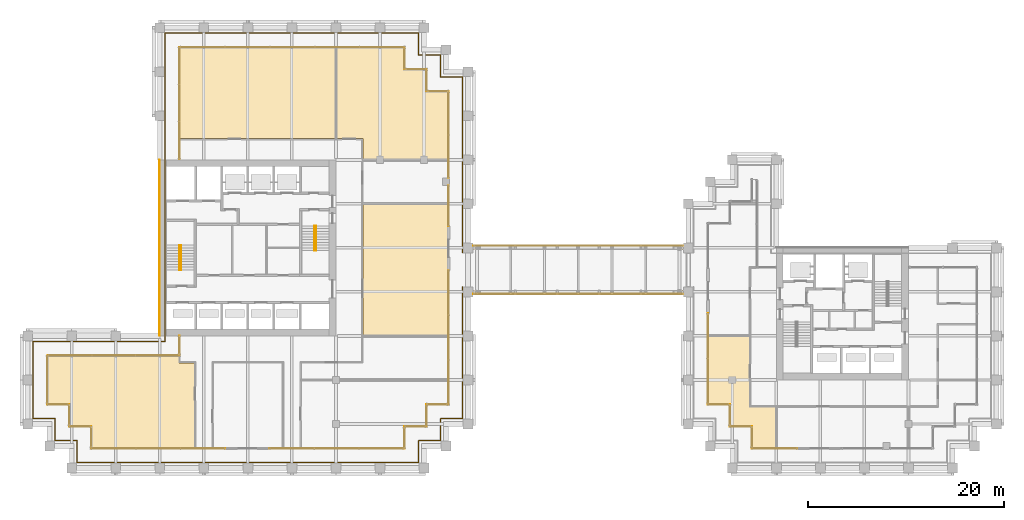
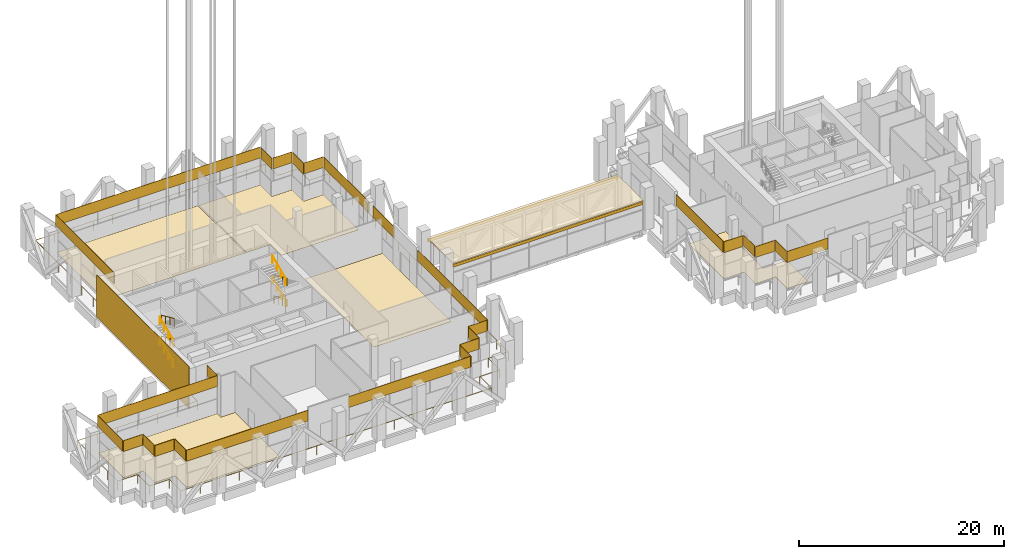
# One storey, part 46 of 48: 37 coverings, 9 railings.
"""IFC4 building model written with IfcOpenShell, lengths in metres."""

from ifc_helpers import new_model, si_unit, direction, frame, origin, origin_2d, place, context, subcontext, project, spatial, polyline, rectangle, circle, outline, extrude, source, transform, mapped, material, layer, layer_set, type_object, element, save


model = new_model("IFC4")

# Units and contexts
model_context = context("Model", 3, precision=1e-05, world=origin(), true_north=direction((0.0, 1.0)))
body_context = subcontext(model_context, "Body", "Model", "MODEL_VIEW")
ifc_project = project(units=[si_unit("LENGTHUNIT", "METRE"), si_unit("AREAUNIT", "SQUARE_METRE"), si_unit("VOLUMEUNIT", "CUBIC_METRE"), si_unit("PLANEANGLEUNIT", "RADIAN"), si_unit("MASSUNIT", "GRAM", prefix="KILO")], contexts=[model_context])

# Site, building, storey
site_placement = place(None, origin())
site = spatial("IfcSite", under=ifc_project, at=site_placement, CompositionType="ELEMENT")
building_placement = place(site_placement, origin())
building = spatial("IfcBuilding", under=site, at=building_placement, Name="Altepetl Exchange Towers", CompositionType="ELEMENT")
storey_placement = place(building_placement, frame((0.0, 0.0, 138.800048828125)))
storey = spatial("IfcBuildingStorey", under=building, at=storey_placement, Name="L34 Refuge and sky lobby", CompositionType="ELEMENT", Elevation=138.800048828125)

# Coverings
ifc_material_1 = material(Name="Aluminium composite cladding", Category="aluminium")
ifc_layer_1 = layer(ifc_material_1, 0.030029296875)
ifc_layer_set_1 = layer_set([ifc_layer_1], Name="Aluminium composite cladding")
covering_type_1 = type_object("IfcCoveringType", Name="Bridge fascia panel 30", PredefinedType="CLADDING", material=ifc_layer_set_1)
for number, where, name in (
    (1, (83.25, 44.784912109375, 3.0), "BR2 fascia"),
    (2, (83.25, 49.715087890625, 3.0), "BR2 fascia"),
):
    element("IfcCovering", number, at=place(storey_placement, frame(where)), inside=storey, type_object=covering_type_1, Name=name, PredefinedType="CLADDING", context=body_context, shape_type="SweptSolid", body=[
        extrude(rectangle(XDim=21.39990234375, YDim=0.030029296875, at=origin_2d()), origin(), (0.0, 0.0, 1.0), 0.35498046875),
    ])
ifc_material_2 = material(Name="Aluminium composite roofing", Category="aluminium")
ifc_layer_2 = layer(ifc_material_2, 0.14990234375)
ifc_layer_set_2 = layer_set([ifc_layer_2], Name="Aluminium composite roofing")
covering_type_2 = type_object("IfcCoveringType", Name="Bridge roof covering 150 insulated", PredefinedType="ROOFING", material=ifc_layer_set_2)
covering_1_placement = place(storey_placement, frame((0.0, 0.0, 3.35498046875)))
element("IfcCovering", 3, at=covering_1_placement, inside=storey, type_object=covering_type_2, Name="BR2 roof covering", PredefinedType="ROOFING", context=body_context, shape_type="SweptSolid", body=[
    extrude(outline(polyline([(72.550048828125, 44.7099609375), (93.949951171875, 44.7099609375), (93.949951171875, 49.7900390625), (72.550048828125, 49.7900390625), (72.550048828125, 44.7099609375)])), origin(), (0.0, 0.0, 1.0), 0.14990234375),
])
ifc_material_3 = material(Name="Cantera stone", Category="masonry")
ifc_layer_3 = layer(ifc_material_3, 0.030029296875)
ifc_layer_set_3 = layer_set([ifc_layer_3], Name="Cantera stone")
covering_type_3 = type_object("IfcCoveringType", Name="Polished stone floor", PredefinedType="FLOORING", material=ifc_layer_set_3)
covering_2_placement = place(storey_placement, origin())
element("IfcCovering", 4, at=covering_2_placement, inside=storey, type_object=covering_type_3, Name="Refuge area floor finish A34.03", PredefinedType="FLOORING", context=body_context, shape_type="SweptSolid", body=[
    extrude(outline(polyline([(44.03759765625, 37.737548828125), (42.4375, 37.737548828125), (42.4375, 38.4375), (29.0625, 38.4375), (29.0625, 33.5625), (31.3125, 33.5625), (31.3125, 31.3125), (33.5625, 31.3125), (33.5625, 29.0625), (44.03759765625, 29.0625), (44.03759765625, 37.737548828125)])), origin(), (0.0, 0.0, 1.0), 0.030029296875),
])
covering_3_placement = place(storey_placement, origin())
element("IfcCovering", 5, at=covering_3_placement, inside=storey, type_object=covering_type_3, Name="Bridge lobby floor finish A34.05", PredefinedType="FLOORING", context=body_context, shape_type="SweptSolid", body=[
    extrude(outline(polyline([(69.9375, 40.5625), (69.9375, 53.9375), (61.262451171875, 53.9375), (61.262451171875, 40.5625), (69.9375, 40.5625)])), origin(), (0.0, 0.0, 1.0), 0.030029296875),
])
covering_4_placement = place(storey_placement, origin())
element("IfcCovering", 6, at=covering_4_placement, inside=storey, type_object=covering_type_3, Name="Refuge area floor finish A34.07", PredefinedType="FLOORING", context=body_context, shape_type="SweptSolid", body=[
    extrude(outline(polyline([(61.262451171875, 58.5625), (69.9375, 58.5625), (69.9375, 65.4375), (67.6875, 65.4375), (67.6875, 67.6875), (65.4375, 67.6875), (65.4375, 69.9375), (58.5625, 69.9375), (58.5625, 60.66259765625), (61.262451171875, 60.66259765625), (61.262451171875, 58.5625)])), origin(), (0.0, 0.0, 1.0), 0.030029296875),
])
covering_5_placement = place(storey_placement, origin())
element("IfcCovering", 7, at=covering_5_placement, inside=storey, type_object=covering_type_3, Name="Refuge area floor finish A34.08", PredefinedType="FLOORING", context=body_context, shape_type="SweptSolid", body=[
    extrude(outline(polyline([(58.4375, 60.66259765625), (58.4375, 69.9375), (42.5625, 69.9375), (42.5625, 60.66259765625), (58.4375, 60.66259765625)])), origin(), (0.0, 0.0, 1.0), 0.030029296875),
])
covering_6_placement = place(storey_placement, origin())
element("IfcCovering", 8, at=covering_6_placement, inside=storey, type_object=covering_type_3, Name="Refuge area floor finish B34.01", PredefinedType="FLOORING", context=body_context, shape_type="SweptSolid", body=[
    extrude(outline(polyline([(103.4375, 29.0625), (103.4375, 33.237548828125), (100.737548828125, 33.237548828125), (100.737548828125, 40.4375), (96.5625, 40.4375), (96.5625, 33.5625), (98.8125, 33.5625), (98.8125, 31.3125), (101.0625, 31.3125), (101.0625, 29.0625), (103.4375, 29.0625)])), origin(), (0.0, 0.0, 1.0), 0.030029296875),
])
ifc_material_4 = material(Name="Cantera limestone cladding", Category="masonry")
ifc_layer_4 = layer(ifc_material_4, 0.0400390625)
ifc_layer_set_4 = layer_set([ifc_layer_4], Name="Cantera limestone cladding")
covering_type_4 = type_object("IfcCoveringType", Name="Stone panel 40 cantera", PredefinedType="CLADDING", material=ifc_layer_set_4)
covering_7_placement = place(storey_placement, frame((42.5, 39.550048828125, 3.19970703125), z_axis=(0.0, 0.0, 1.0), x_axis=(0.0, -1.0, 0.0)))
element("IfcCovering", 9, at=covering_7_placement, inside=storey, type_object=covering_type_4, Name="Stone cladding band", PredefinedType="CLADDING", context=body_context, shape_type="SweptSolid", body=[
    extrude(rectangle(XDim=1.89990234375, YDim=0.0400390625, at=origin_2d()), origin(), (0.0, 0.0, 1.0), 1.300048828125),
])
covering_8_placement = place(storey_placement, frame((35.800048828125, 38.5, 3.19970703125), z_axis=(0.0, 0.0, 1.0), x_axis=(-1.0, 0.0, 0.0)))
element("IfcCovering", 10, at=covering_8_placement, inside=storey, type_object=covering_type_4, Name="Stone cladding band", PredefinedType="CLADDING", context=body_context, shape_type="SweptSolid", body=[
    extrude(rectangle(XDim=13.39990234375, YDim=0.0400390625, at=origin_2d()), origin(), (0.0, 0.0, 1.0), 1.300048828125),
])
covering_9_placement = place(storey_placement, frame((29.0, 36.050048828125, 3.19970703125), z_axis=(0.0, 0.0, 1.0), x_axis=(0.0, -1.0, 0.0)))
element("IfcCovering", 11, at=covering_9_placement, inside=storey, type_object=covering_type_4, Name="Stone cladding band", PredefinedType="CLADDING", context=body_context, shape_type="SweptSolid", body=[
    extrude(rectangle(XDim=4.89990234375, YDim=0.0400390625, at=origin_2d()), origin(), (0.0, 0.0, 1.0), 1.300048828125),
])
covering_10_placement = place(storey_placement, frame((30.074951171875, 33.5, 3.19970703125)))
element("IfcCovering", 12, at=covering_10_placement, inside=storey, type_object=covering_type_4, Name="Stone cladding band", PredefinedType="CLADDING", context=body_context, shape_type="SweptSolid", body=[
    extrude(rectangle(XDim=2.14990234375, YDim=0.0400390625, at=origin_2d()), origin(), (0.0, 0.0, 1.0), 1.300048828125),
])
covering_11_placement = place(storey_placement, frame((31.25, 32.425048828125, 3.19970703125), z_axis=(0.0, 0.0, 1.0), x_axis=(0.0, -1.0, 0.0)))
element("IfcCovering", 13, at=covering_11_placement, inside=storey, type_object=covering_type_4, Name="Stone cladding band", PredefinedType="CLADDING", context=body_context, shape_type="SweptSolid", body=[
    extrude(rectangle(XDim=2.14990234375, YDim=0.0400390625, at=origin_2d()), origin(), (0.0, 0.0, 1.0), 1.300048828125),
])
covering_12_placement = place(storey_placement, frame((32.324951171875, 31.25, 3.19970703125)))
element("IfcCovering", 14, at=covering_12_placement, inside=storey, type_object=covering_type_4, Name="Stone cladding band", PredefinedType="CLADDING", context=body_context, shape_type="SweptSolid", body=[
    extrude(rectangle(XDim=2.14990234375, YDim=0.0400390625, at=origin_2d()), origin(), (0.0, 0.0, 1.0), 1.300048828125),
])
covering_13_placement = place(storey_placement, frame((33.5, 30.175048828125, 3.19970703125), z_axis=(0.0, 0.0, 1.0), x_axis=(0.0, -1.0, 0.0)))
element("IfcCovering", 15, at=covering_13_placement, inside=storey, type_object=covering_type_4, Name="Stone cladding band", PredefinedType="CLADDING", context=body_context, shape_type="SweptSolid", body=[
    extrude(rectangle(XDim=2.14990234375, YDim=0.0400390625, at=origin_2d()), origin(), (0.0, 0.0, 1.0), 1.300048828125),
])
for number, where, name in (
    (16, (40.335693359375, 29.0, 3.19970703125), "Stone cladding band"),
    (17, (58.564208984375, 29.0, 3.19970703125), "Stone cladding band"),
):
    element("IfcCovering", number, at=place(storey_placement, frame(where)), inside=storey, type_object=covering_type_4, Name=name, PredefinedType="CLADDING", context=body_context, shape_type="SweptSolid", body=[
        extrude(rectangle(XDim=13.67138671875, YDim=0.0400390625, at=origin_2d()), origin(), (0.0, 0.0, 1.0), 1.300048828125),
    ])
covering_14_placement = place(storey_placement, frame((65.5, 30.074951171875, 3.19970703125), z_axis=(0.0, 0.0, 1.0), x_axis=(0.0, 1.0, 0.0)))
element("IfcCovering", 18, at=covering_14_placement, inside=storey, type_object=covering_type_4, Name="Stone cladding band", PredefinedType="CLADDING", context=body_context, shape_type="SweptSolid", body=[
    extrude(rectangle(XDim=2.14990234375, YDim=0.0400390625, at=origin_2d()), origin(), (0.0, 0.0, 1.0), 1.300048828125),
])
covering_15_placement = place(storey_placement, frame((66.574951171875, 31.25, 3.19970703125)))
element("IfcCovering", 19, at=covering_15_placement, inside=storey, type_object=covering_type_4, Name="Stone cladding band", PredefinedType="CLADDING", context=body_context, shape_type="SweptSolid", body=[
    extrude(rectangle(XDim=2.14990234375, YDim=0.0400390625, at=origin_2d()), origin(), (0.0, 0.0, 1.0), 1.300048828125),
])
covering_16_placement = place(storey_placement, frame((67.75, 32.324951171875, 3.19970703125), z_axis=(0.0, 0.0, 1.0), x_axis=(0.0, 1.0, 0.0)))
element("IfcCovering", 20, at=covering_16_placement, inside=storey, type_object=covering_type_4, Name="Stone cladding band", PredefinedType="CLADDING", context=body_context, shape_type="SweptSolid", body=[
    extrude(rectangle(XDim=2.14990234375, YDim=0.0400390625, at=origin_2d()), origin(), (0.0, 0.0, 1.0), 1.300048828125),
])
covering_17_placement = place(storey_placement, frame((68.824951171875, 33.5, 3.19970703125)))
element("IfcCovering", 21, at=covering_17_placement, inside=storey, type_object=covering_type_4, Name="Stone cladding band", PredefinedType="CLADDING", context=body_context, shape_type="SweptSolid", body=[
    extrude(rectangle(XDim=2.14990234375, YDim=0.0400390625, at=origin_2d()), origin(), (0.0, 0.0, 1.0), 1.300048828125),
])
covering_18_placement = place(storey_placement, frame((70.0, 40.335693359375, 3.19970703125), z_axis=(0.0, 0.0, 1.0), x_axis=(0.0, 1.0, 0.0)))
element("IfcCovering", 22, at=covering_18_placement, inside=storey, type_object=covering_type_4, Name="Stone cladding band", PredefinedType="CLADDING", context=body_context, shape_type="SweptSolid", body=[
    extrude(rectangle(XDim=13.67138671875, YDim=0.0400390625, at=origin_2d()), origin(), (0.0, 0.0, 1.0), 1.300048828125),
])
covering_19_placement = place(storey_placement, frame((70.0, 53.791748046875, 3.19970703125), z_axis=(0.0, 0.0, 1.0), x_axis=(0.0, 1.0, 0.0)))
element("IfcCovering", 23, at=covering_19_placement, inside=storey, type_object=covering_type_4, Name="Stone cladding band", PredefinedType="CLADDING", context=body_context, shape_type="SweptSolid", body=[
    extrude(rectangle(XDim=4.12646484375, YDim=0.0400390625, at=origin_2d()), origin(), (0.0, 0.0, 1.0), 1.300048828125),
])
covering_20_placement = place(storey_placement, frame((70.0, 61.0224609375, 3.19970703125), z_axis=(0.0, 0.0, 1.0), x_axis=(0.0, 1.0, 0.0)))
element("IfcCovering", 24, at=covering_20_placement, inside=storey, type_object=covering_type_4, Name="Stone cladding band", PredefinedType="CLADDING", context=body_context, shape_type="SweptSolid", body=[
    extrude(rectangle(XDim=8.7548828125, YDim=0.0400390625, at=origin_2d()), origin(), (0.0, 0.0, 1.0), 1.300048828125),
])
for number, where, z_axis, x_axis, name in (
    (25, (68.925048828125, 65.5, 3.19970703125), (0.0, 0.0, 1.0), (-1.0, 0.0, 0.0), "Stone cladding band"),
    (26, (67.75, 66.574951171875, 3.19970703125), (0.0, 0.0, 1.0), (0.0, 1.0, 0.0), "Stone cladding band"),
    (27, (66.675048828125, 67.75, 3.19970703125), (0.0, 0.0, 1.0), (-1.0, 0.0, 0.0), "Stone cladding band"),
    (28, (65.5, 68.824951171875, 3.19970703125), (0.0, 0.0, 1.0), (0.0, 1.0, 0.0), "Stone cladding band"),
):
    element("IfcCovering", number, at=place(storey_placement, frame(where, z_axis=z_axis, x_axis=x_axis)), inside=storey, type_object=covering_type_4, Name=name, PredefinedType="CLADDING", context=body_context, shape_type="SweptSolid", body=[
        extrude(rectangle(XDim=2.14990234375, YDim=0.0400390625, at=origin_2d()), origin(), (0.0, 0.0, 1.0), 1.300048828125),
    ])
covering_21_placement = place(storey_placement, frame((54.050048828125, 70.0, 3.19970703125), z_axis=(0.0, 0.0, 1.0), x_axis=(-1.0, 0.0, 0.0)))
element("IfcCovering", 29, at=covering_21_placement, inside=storey, type_object=covering_type_4, Name="Stone cladding band", PredefinedType="CLADDING", context=body_context, shape_type="SweptSolid", body=[
    extrude(rectangle(XDim=22.89990234375, YDim=0.0400390625, at=origin_2d()), origin(), (0.0, 0.0, 1.0), 1.300048828125),
])
covering_22_placement = place(storey_placement, frame((42.5, 64.300048828125, 3.19970703125), z_axis=(0.0, 0.0, 1.0), x_axis=(0.0, -1.0, 0.0)))
element("IfcCovering", 30, at=covering_22_placement, inside=storey, type_object=covering_type_4, Name="Stone cladding band", PredefinedType="CLADDING", context=body_context, shape_type="SweptSolid", body=[
    extrude(rectangle(XDim=11.39990234375, YDim=0.0400390625, at=origin_2d()), origin(), (0.0, 0.0, 1.0), 1.300048828125),
])
covering_23_placement = place(storey_placement, frame((40.47998046875, 49.5, 0.0), z_axis=(0.0, 0.0, 1.0), x_axis=(0.0, -1.0, 0.0)))
element("IfcCovering", 31, at=covering_23_placement, inside=storey, type_object=covering_type_4, Name="Stone cladding panel", PredefinedType="CLADDING", context=body_context, shape_type="SweptSolid", body=[
    extrude(rectangle(XDim=18.0, YDim=0.0400390625, at=origin_2d()), origin(), (0.0, 0.0, 1.0), 5.0),
])
covering_24_placement = place(storey_placement, frame((96.5, 38.199951171875, 3.19970703125), z_axis=(0.0, 0.0, 1.0), x_axis=(0.0, -1.0, 0.0)))
element("IfcCovering", 32, at=covering_24_placement, inside=storey, type_object=covering_type_4, Name="Stone cladding band", PredefinedType="CLADDING", context=body_context, shape_type="SweptSolid", body=[
    extrude(rectangle(XDim=9.199951171875, YDim=0.0400390625, at=origin_2d()), origin(), (0.0, 0.0, 1.0), 1.300048828125),
])
covering_25_placement = place(storey_placement, frame((97.574951171875, 33.5, 3.19970703125)))
element("IfcCovering", 33, at=covering_25_placement, inside=storey, type_object=covering_type_4, Name="Stone cladding band", PredefinedType="CLADDING", context=body_context, shape_type="SweptSolid", body=[
    extrude(rectangle(XDim=2.14990234375, YDim=0.0400390625, at=origin_2d()), origin(), (0.0, 0.0, 1.0), 1.300048828125),
])
covering_26_placement = place(storey_placement, frame((98.75, 32.425048828125, 3.19970703125), z_axis=(0.0, 0.0, 1.0), x_axis=(0.0, -1.0, 0.0)))
element("IfcCovering", 34, at=covering_26_placement, inside=storey, type_object=covering_type_4, Name="Stone cladding band", PredefinedType="CLADDING", context=body_context, shape_type="SweptSolid", body=[
    extrude(rectangle(XDim=2.14990234375, YDim=0.0400390625, at=origin_2d()), origin(), (0.0, 0.0, 1.0), 1.300048828125),
])
covering_27_placement = place(storey_placement, frame((99.824951171875, 31.25, 3.19970703125)))
element("IfcCovering", 35, at=covering_27_placement, inside=storey, type_object=covering_type_4, Name="Stone cladding band", PredefinedType="CLADDING", context=body_context, shape_type="SweptSolid", body=[
    extrude(rectangle(XDim=2.14990234375, YDim=0.0400390625, at=origin_2d()), origin(), (0.0, 0.0, 1.0), 1.300048828125),
])
covering_28_placement = place(storey_placement, frame((101.0, 30.175048828125, 3.19970703125), z_axis=(0.0, 0.0, 1.0), x_axis=(0.0, -1.0, 0.0)))
element("IfcCovering", 36, at=covering_28_placement, inside=storey, type_object=covering_type_4, Name="Stone cladding band", PredefinedType="CLADDING", context=body_context, shape_type="SweptSolid", body=[
    extrude(rectangle(XDim=2.14990234375, YDim=0.0400390625, at=origin_2d()), origin(), (0.0, 0.0, 1.0), 1.300048828125),
])
covering_29_placement = place(storey_placement, frame((103.300048828125, 29.0, 3.19970703125)))
element("IfcCovering", 37, at=covering_29_placement, inside=storey, type_object=covering_type_4, Name="Stone cladding band", PredefinedType="CLADDING", context=body_context, shape_type="SweptSolid", body=[
    extrude(rectangle(XDim=4.60009765625, YDim=0.0400390625, at=origin_2d()), origin(), (0.0, 0.0, 1.0), 1.300048828125),
])

# Railings
ifc_material_5 = material(Name="Steel S355", Category="steel")
railing_type_1 = type_object("IfcRailingType", Name="Guard 1100 steel posts and rail", PredefinedType="GUARDRAIL", material=ifc_material_5)
shared_shape_1 = source(origin(), body_context, "Body", "SweptSolid", [
    extrude(circle(Radius=0.02099609375, at=origin_2d()), origin(), (0.0, 0.0, 1.0), 1.052001953125),
])
railing_1_placement = place(storey_placement, frame((71.449951171875, 49.0, 0.0)))
element("IfcRailing", 38, at=railing_1_placement, inside=storey, type_object=railing_type_1, Name="Loggia guard", PredefinedType="GUARDRAIL", context=body_context, shape_type="SweptSolid", body=[
    extrude(circle(Radius=0.02392578125, at=origin_2d()), frame((0.0, 0.0, 1.076171875), z_axis=(0.0, 1.0, 0.0), x_axis=(-1.0, 0.0, 0.0)), (0.0, 0.0, 1.0), 17.949951171875),
    extrude(circle(Radius=0.02392578125, at=origin_2d()), frame((0.0, 17.949951171875, 1.076171875), z_axis=(-1.0, 0.0, 0.0), x_axis=(0.0, -1.0, 0.0)), (0.0, 0.0, 1.0), 2.25),
    extrude(circle(Radius=0.02392578125, at=origin_2d()), frame((-2.25, 17.949951171875, 1.076171875), z_axis=(0.0, 1.0, 0.0), x_axis=(-1.0, 0.0, 0.0)), (0.0, 0.0, 1.0), 2.25),
    extrude(circle(Radius=0.02392578125, at=origin_2d()), frame((-2.25, 20.199951171875, 1.076171875), z_axis=(-1.0, 0.0, 0.0), x_axis=(0.0, -1.0, 0.0)), (0.0, 0.0, 1.0), 2.25),
    extrude(circle(Radius=0.02392578125, at=origin_2d()), frame((-4.5, 20.199951171875, 1.076171875), z_axis=(0.0, 1.0, 0.0), x_axis=(-1.0, 0.0, 0.0)), (0.0, 0.0, 1.0), 2.25),
    extrude(circle(Radius=0.02392578125, at=origin_2d()), frame((-4.5, 22.449951171875, 1.076171875), z_axis=(-1.0, 0.0, 0.0), x_axis=(0.0, -1.0, 0.0)), (0.0, 0.0, 1.0), 25.89990234375),
    extrude(circle(Radius=0.02392578125, at=origin_2d()), frame((-30.39990234375, 22.449951171875, 1.076171875), z_axis=(0.0, -1.0, 0.0), x_axis=(1.0, 0.0, 0.0)), (0.0, 0.0, 1.0), 31.5),
    extrude(circle(Radius=0.02392578125, at=origin_2d()), frame((-30.39990234375, -9.050048828125, 1.076171875), z_axis=(-1.0, 0.0, 0.0), x_axis=(0.0, -1.0, 0.0)), (0.0, 0.0, 1.0), 13.5),
    extrude(circle(Radius=0.02392578125, at=origin_2d()), frame((-43.89990234375, -9.050048828125, 1.076171875), z_axis=(0.0, -1.0, 0.0), x_axis=(1.0, 0.0, 0.0)), (0.0, 0.0, 1.0), 7.89990234375),
    extrude(circle(Radius=0.02392578125, at=origin_2d()), frame((-43.89990234375, -16.949951171875, 1.076171875), z_axis=(1.0, 0.0, 0.0), x_axis=(0.0, 1.0, 0.0)), (0.0, 0.0, 1.0), 2.25),
    extrude(circle(Radius=0.02392578125, at=origin_2d()), frame((-41.64990234375, -16.949951171875, 1.076171875), z_axis=(0.0, -1.0, 0.0), x_axis=(1.0, 0.0, 0.0)), (0.0, 0.0, 1.0), 2.25),
    extrude(circle(Radius=0.02392578125, at=origin_2d()), frame((-41.64990234375, -19.199951171875, 1.076171875), z_axis=(1.0, 0.0, 0.0), x_axis=(0.0, 1.0, 0.0)), (0.0, 0.0, 1.0), 2.25),
    extrude(circle(Radius=0.02392578125, at=origin_2d()), frame((-39.39990234375, -19.199951171875, 1.076171875), z_axis=(0.0, -1.0, 0.0), x_axis=(1.0, 0.0, 0.0)), (0.0, 0.0, 1.0), 2.25),
    extrude(circle(Radius=0.02392578125, at=origin_2d()), frame((-39.39990234375, -21.449951171875, 1.076171875), z_axis=(1.0, 0.0, 0.0), x_axis=(0.0, 1.0, 0.0)), (0.0, 0.0, 1.0), 34.89990234375),
    extrude(circle(Radius=0.02392578125, at=origin_2d()), frame((-4.5, -21.449951171875, 1.076171875), z_axis=(0.0, 1.0, 0.0), x_axis=(-1.0, 0.0, 0.0)), (0.0, 0.0, 1.0), 2.25),
    extrude(circle(Radius=0.02392578125, at=origin_2d()), frame((-4.5, -19.199951171875, 1.076171875), z_axis=(1.0, 0.0, 0.0), x_axis=(0.0, 1.0, 0.0)), (0.0, 0.0, 1.0), 2.25),
    extrude(circle(Radius=0.02392578125, at=origin_2d()), frame((-2.25, -19.199951171875, 1.076171875), z_axis=(0.0, 1.0, 0.0), x_axis=(-1.0, 0.0, 0.0)), (0.0, 0.0, 1.0), 2.25),
    extrude(circle(Radius=0.02392578125, at=origin_2d()), frame((-2.25, -16.949951171875, 1.076171875), z_axis=(1.0, 0.0, 0.0), x_axis=(0.0, 1.0, 0.0)), (0.0, 0.0, 1.0), 2.25),
    extrude(circle(Radius=0.02392578125, at=origin_2d()), frame((0.0, -16.949951171875, 1.076171875), z_axis=(0.0, 1.0, 0.0), x_axis=(-1.0, 0.0, 0.0)), (0.0, 0.0, 1.0), 13.449951171875),
    mapped(shared_shape_1, transform((0.0, 0.0, 0.0))),
    mapped(shared_shape_1, transform((0.0, 2.24365234375, 0.0))),
    mapped(shared_shape_1, transform((0.0, 4.487548828125, 0.0))),
    mapped(shared_shape_1, transform((0.0, 6.731201171875, 0.0))),
    mapped(shared_shape_1, transform((0.0, 8.97509765625, 0.0))),
    mapped(shared_shape_1, transform((0.0, 11.21875, 0.0))),
    mapped(shared_shape_1, transform((0.0, 13.46240234375, 0.0))),
    mapped(shared_shape_1, transform((0.0, 15.706298828125, 0.0))),
    mapped(shared_shape_1, transform((0.0, 17.949951171875, 0.0))),
    mapped(shared_shape_1, transform((-2.25, 17.949951171875, 0.0))),
    mapped(shared_shape_1, transform((-2.25, 20.199951171875, 0.0))),
    mapped(shared_shape_1, transform((-4.5, 20.199951171875, 0.0))),
    mapped(shared_shape_1, transform((-4.5, 22.449951171875, 0.0))),
    mapped(shared_shape_1, transform((-6.658203125, 22.449951171875, 0.0))),
    mapped(shared_shape_1, transform((-8.816650390625, 22.449951171875, 0.0))),
    mapped(shared_shape_1, transform((-10.97509765625, 22.449951171875, 0.0))),
    mapped(shared_shape_1, transform((-13.13330078125, 22.449951171875, 0.0))),
    mapped(shared_shape_1, transform((-15.29150390625, 22.449951171875, 0.0))),
    mapped(shared_shape_1, transform((-17.449951171875, 22.449951171875, 0.0))),
    mapped(shared_shape_1, transform((-19.6083984375, 22.449951171875, 0.0))),
    mapped(shared_shape_1, transform((-21.7666015625, 22.449951171875, 0.0))),
    mapped(shared_shape_1, transform((-23.9248046875, 22.449951171875, 0.0))),
    mapped(shared_shape_1, transform((-26.083251953125, 22.449951171875, 0.0))),
    mapped(shared_shape_1, transform((-28.24169921875, 22.449951171875, 0.0))),
    mapped(shared_shape_1, transform((-30.39990234375, 22.449951171875, 0.0))),
    mapped(shared_shape_1, transform((-30.39990234375, 20.199951171875, 0.0))),
    mapped(shared_shape_1, transform((-30.39990234375, 17.949951171875, 0.0))),
    mapped(shared_shape_1, transform((-30.39990234375, 15.699951171875, 0.0))),
    mapped(shared_shape_1, transform((-30.39990234375, 13.449951171875, 0.0))),
    mapped(shared_shape_1, transform((-30.39990234375, 11.199951171875, 0.0))),
    mapped(shared_shape_1, transform((-30.39990234375, 8.949951171875, 0.0))),
    mapped(shared_shape_1, transform((-30.39990234375, 6.699951171875, 0.0))),
    mapped(shared_shape_1, transform((-30.39990234375, 4.449951171875, 0.0))),
    mapped(shared_shape_1, transform((-30.39990234375, 2.199951171875, 0.0))),
    mapped(shared_shape_1, transform((-30.39990234375, -0.050048828125, 0.0))),
    mapped(shared_shape_1, transform((-30.39990234375, -2.300048828125, 0.0))),
    mapped(shared_shape_1, transform((-30.39990234375, -4.550048828125, 0.0))),
    mapped(shared_shape_1, transform((-30.39990234375, -6.800048828125, 0.0))),
    mapped(shared_shape_1, transform((-30.39990234375, -9.050048828125, 0.0))),
    mapped(shared_shape_1, transform((-32.64990234375, -9.050048828125, 0.0))),
    mapped(shared_shape_1, transform((-34.89990234375, -9.050048828125, 0.0))),
    mapped(shared_shape_1, transform((-37.14990234375, -9.050048828125, 0.0))),
    mapped(shared_shape_1, transform((-39.39990234375, -9.050048828125, 0.0))),
    mapped(shared_shape_1, transform((-41.64990234375, -9.050048828125, 0.0))),
    mapped(shared_shape_1, transform((-43.89990234375, -9.050048828125, 0.0))),
    mapped(shared_shape_1, transform((-43.89990234375, -11.02490234375, 0.0))),
    mapped(shared_shape_1, transform((-43.89990234375, -13.0, 0.0))),
    mapped(shared_shape_1, transform((-43.89990234375, -14.97509765625, 0.0))),
    mapped(shared_shape_1, transform((-43.89990234375, -16.949951171875, 0.0))),
    mapped(shared_shape_1, transform((-41.64990234375, -16.949951171875, 0.0))),
    mapped(shared_shape_1, transform((-41.64990234375, -19.199951171875, 0.0))),
    mapped(shared_shape_1, transform((-39.39990234375, -19.199951171875, 0.0))),
    mapped(shared_shape_1, transform((-39.39990234375, -21.449951171875, 0.0))),
    mapped(shared_shape_1, transform((-37.21875, -21.449951171875, 0.0))),
    mapped(shared_shape_1, transform((-35.037353515625, -21.449951171875, 0.0))),
    mapped(shared_shape_1, transform((-32.856201171875, -21.449951171875, 0.0))),
    mapped(shared_shape_1, transform((-30.6748046875, -21.449951171875, 0.0))),
    mapped(shared_shape_1, transform((-28.49365234375, -21.449951171875, 0.0))),
    mapped(shared_shape_1, transform((-26.3125, -21.449951171875, 0.0))),
    mapped(shared_shape_1, transform((-24.131103515625, -21.449951171875, 0.0))),
    mapped(shared_shape_1, transform((-21.949951171875, -21.449951171875, 0.0))),
    mapped(shared_shape_1, transform((-19.768798828125, -21.449951171875, 0.0))),
    mapped(shared_shape_1, transform((-17.58740234375, -21.449951171875, 0.0))),
    mapped(shared_shape_1, transform((-15.40625, -21.449951171875, 0.0))),
    mapped(shared_shape_1, transform((-13.22509765625, -21.449951171875, 0.0))),
    mapped(shared_shape_1, transform((-11.043701171875, -21.449951171875, 0.0))),
    mapped(shared_shape_1, transform((-8.862548828125, -21.449951171875, 0.0))),
    mapped(shared_shape_1, transform((-6.68115234375, -21.449951171875, 0.0))),
    mapped(shared_shape_1, transform((-4.5, -21.449951171875, 0.0))),
    mapped(shared_shape_1, transform((-4.5, -19.199951171875, 0.0))),
    mapped(shared_shape_1, transform((-2.25, -19.199951171875, 0.0))),
    mapped(shared_shape_1, transform((-2.25, -16.949951171875, 0.0))),
    mapped(shared_shape_1, transform((0.0, -16.949951171875, 0.0))),
    mapped(shared_shape_1, transform((0.0, -14.708251953125, 0.0))),
    mapped(shared_shape_1, transform((0.0, -12.466552734375, 0.0))),
    mapped(shared_shape_1, transform((0.0, -10.22509765625, 0.0))),
    mapped(shared_shape_1, transform((0.0, -7.9833984375, 0.0))),
    mapped(shared_shape_1, transform((0.0, -5.74169921875, 0.0))),
    mapped(shared_shape_1, transform((0.0, -3.5, 0.0))),
])
ifc_material_6 = material(Name="Steel", Category="steel")
railing_type_2 = type_object("IfcRailingType", Name="Stair handrail 50 steel tube", PredefinedType="HANDRAIL", material=ifc_material_6)
shared_shape_2 = source(origin(), body_context, "Body", "SweptSolid", [
    extrude(circle(Radius=0.02099609375, at=origin_2d()), origin(), (0.0, 0.0, 1.0), 0.851806640625),
])
railing_2_placement = place(storey_placement, frame((42.52001953125, 47.25, 0.125)))
element("IfcRailing", 39, at=railing_2_placement, inside=storey, type_object=railing_type_2, Name="Stair handrail", PredefinedType="HANDRAIL", context=body_context, shape_type="SweptSolid", body=[
    extrude(circle(Radius=0.02392578125, at=origin_2d()), frame((0.0, 0.0, 0.8759765625), z_axis=(0.0, 0.913139058521, 0.407648205936), x_axis=(-1.0, 0.0, 0.0)), (0.0, 0.0, 1.0), 2.759765625),
    mapped(shared_shape_2, transform((0.0, 0.0, 0.0))),
    mapped(shared_shape_2, transform((0.0, 0.840087890625, 0.375))),
    mapped(shared_shape_2, transform((0.0, 1.679931640625, 0.75))),
    mapped(shared_shape_2, transform((0.0, 2.52001953125, 1.125))),
])
railing_3_placement = place(storey_placement, frame((42.679931640625, 49.77001953125, 1.375)))
element("IfcRailing", 40, at=railing_3_placement, inside=storey, type_object=railing_type_2, Name="Stair handrail", PredefinedType="HANDRAIL", context=body_context, shape_type="SweptSolid", body=[
    extrude(circle(Radius=0.02392578125, at=origin_2d()), frame((0.0, 0.0, 0.8759765625), z_axis=(0.0, -0.913139058521, 0.407648205936), x_axis=(1.0, 0.0, 0.0)), (0.0, 0.0, 1.0), 2.759765625),
    mapped(shared_shape_2, transform((0.0, 0.0, 0.0))),
    mapped(shared_shape_2, transform((0.0, -0.840087890625, 0.375))),
    mapped(shared_shape_2, transform((0.0, -1.679931640625, 0.75))),
    mapped(shared_shape_2, transform((0.0, -2.52001953125, 1.125))),
])
railing_4_placement = place(storey_placement, frame((42.52001953125, 47.25, 2.625)))
element("IfcRailing", 41, at=railing_4_placement, inside=storey, type_object=railing_type_2, Name="Stair handrail", PredefinedType="HANDRAIL", context=body_context, shape_type="SweptSolid", body=[
    extrude(circle(Radius=0.02392578125, at=origin_2d()), frame((0.0, 0.0, 0.8759765625), z_axis=(0.0, 0.913139058521, 0.407648205936), x_axis=(-1.0, 0.0, 0.0)), (0.0, 0.0, 1.0), 2.759765625),
    mapped(shared_shape_2, transform((0.0, 0.0, 0.0))),
    mapped(shared_shape_2, transform((0.0, 0.840087890625, 0.375))),
    mapped(shared_shape_2, transform((0.0, 1.679931640625, 0.75))),
    mapped(shared_shape_2, transform((0.0, 2.52001953125, 1.125))),
])
for number, where, name in (
    (42, (42.679931640625, 49.77001953125, 3.875), "Stair handrail"),
    (43, (56.47998046875, 51.75, 0.125), "Stair handrail"),
):
    element("IfcRailing", number, at=place(storey_placement, frame(where)), inside=storey, type_object=railing_type_2, Name=name, PredefinedType="HANDRAIL", context=body_context, shape_type="SweptSolid", body=[
        extrude(circle(Radius=0.02392578125, at=origin_2d()), frame((0.0, 0.0, 0.8759765625), z_axis=(0.0, -0.913139058521, 0.407648205936), x_axis=(1.0, 0.0, 0.0)), (0.0, 0.0, 1.0), 2.759765625),
        mapped(shared_shape_2, transform((0.0, 0.0, 0.0))),
        mapped(shared_shape_2, transform((0.0, -0.840087890625, 0.375))),
        mapped(shared_shape_2, transform((0.0, -1.679931640625, 0.75))),
        mapped(shared_shape_2, transform((0.0, -2.52001953125, 1.125))),
    ])
railing_5_placement = place(storey_placement, frame((56.320068359375, 49.22998046875, 1.375)))
element("IfcRailing", 44, at=railing_5_placement, inside=storey, type_object=railing_type_2, Name="Stair handrail", PredefinedType="HANDRAIL", context=body_context, shape_type="SweptSolid", body=[
    extrude(circle(Radius=0.02392578125, at=origin_2d()), frame((0.0, 0.0, 0.8759765625), z_axis=(0.0, 0.913139058521, 0.407648205936), x_axis=(-1.0, 0.0, 0.0)), (0.0, 0.0, 1.0), 2.759765625),
    mapped(shared_shape_2, transform((0.0, 0.0, 0.0))),
    mapped(shared_shape_2, transform((0.0, 0.840087890625, 0.375))),
    mapped(shared_shape_2, transform((0.0, 1.679931640625, 0.75))),
    mapped(shared_shape_2, transform((0.0, 2.52001953125, 1.125))),
])
railing_6_placement = place(storey_placement, frame((56.47998046875, 51.75, 2.625)))
element("IfcRailing", 45, at=railing_6_placement, inside=storey, type_object=railing_type_2, Name="Stair handrail", PredefinedType="HANDRAIL", context=body_context, shape_type="SweptSolid", body=[
    extrude(circle(Radius=0.02392578125, at=origin_2d()), frame((0.0, 0.0, 0.8759765625), z_axis=(0.0, -0.913139058521, 0.407648205936), x_axis=(1.0, 0.0, 0.0)), (0.0, 0.0, 1.0), 2.759765625),
    mapped(shared_shape_2, transform((0.0, 0.0, 0.0))),
    mapped(shared_shape_2, transform((0.0, -0.840087890625, 0.375))),
    mapped(shared_shape_2, transform((0.0, -1.679931640625, 0.75))),
    mapped(shared_shape_2, transform((0.0, -2.52001953125, 1.125))),
])
railing_7_placement = place(storey_placement, frame((56.320068359375, 49.22998046875, 3.875)))
element("IfcRailing", 46, at=railing_7_placement, inside=storey, type_object=railing_type_2, Name="Stair handrail", PredefinedType="HANDRAIL", context=body_context, shape_type="SweptSolid", body=[
    extrude(circle(Radius=0.02392578125, at=origin_2d()), frame((0.0, 0.0, 0.8759765625), z_axis=(0.0, 0.913139058521, 0.407648205936), x_axis=(-1.0, 0.0, 0.0)), (0.0, 0.0, 1.0), 2.759765625),
    mapped(shared_shape_2, transform((0.0, 0.0, 0.0))),
    mapped(shared_shape_2, transform((0.0, 0.840087890625, 0.375))),
    mapped(shared_shape_2, transform((0.0, 1.679931640625, 0.75))),
    mapped(shared_shape_2, transform((0.0, 2.52001953125, 1.125))),
])

save(model, "model.ifc")
